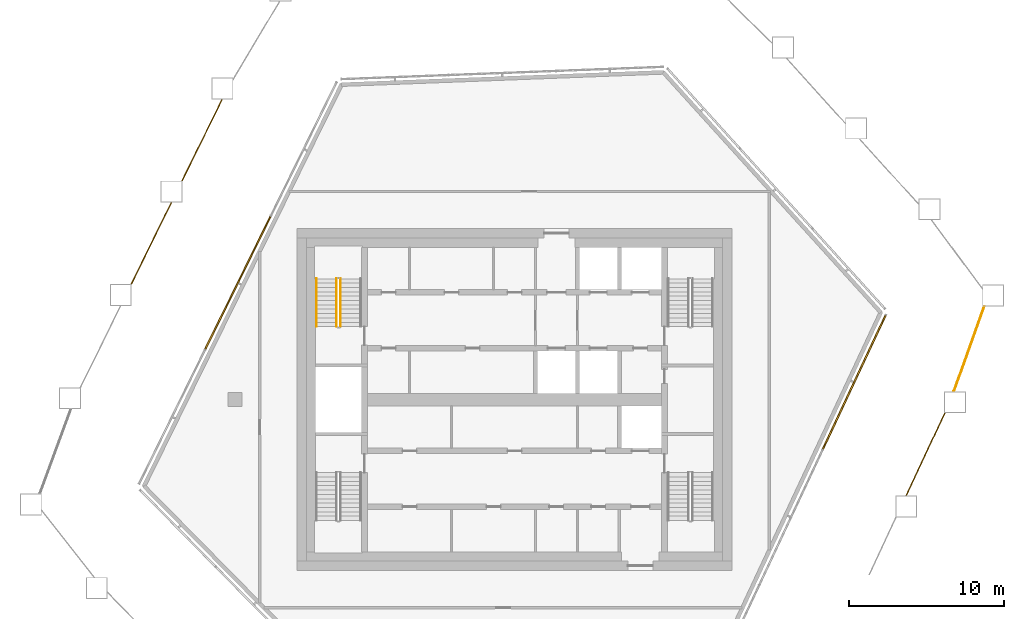
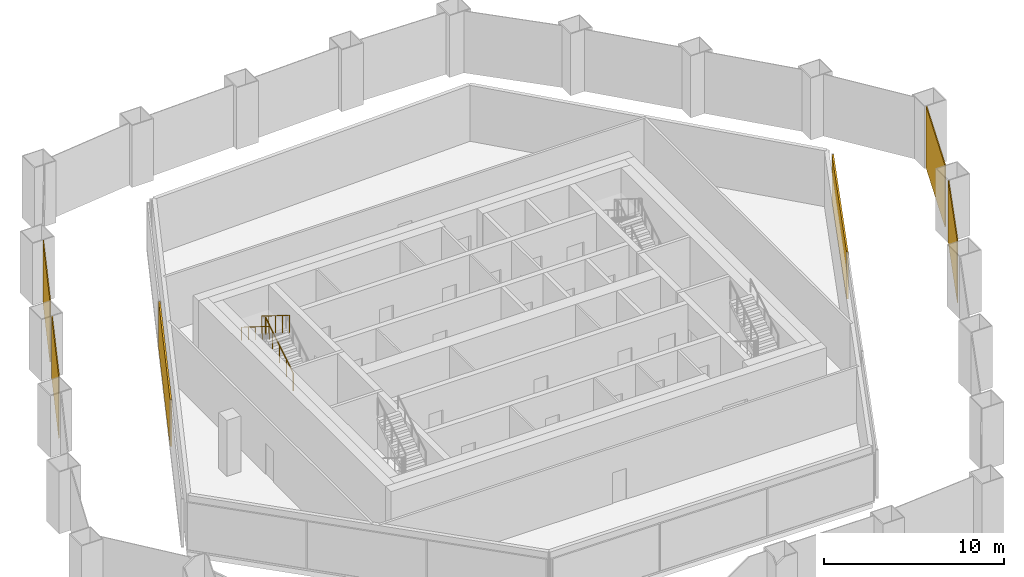
# One storey, part 15 of 18: 6 coverings, 3 railings, 2 elements without a shape of their own.
"""IFC4 building model written with IfcOpenShell, lengths in metres."""

from ifc_helpers import new_model, si_unit, direction, frame, origin, origin_2d, place, context, subcontext, project, spatial, polyline, rectangle, circle, outline, extrude, material, layer, layer_set, type_object, element, aggregate, save


model = new_model("IFC4")

# Units and contexts
model_context = context("Model", 3, precision=1e-05, world=origin(), true_north=direction((0.0, 1.0)))
body_context = subcontext(model_context, "Body", "Model", "MODEL_VIEW")
ifc_project = project(units=[si_unit("LENGTHUNIT", "METRE"), si_unit("AREAUNIT", "SQUARE_METRE"), si_unit("VOLUMEUNIT", "CUBIC_METRE"), si_unit("PLANEANGLEUNIT", "RADIAN"), si_unit("MASSUNIT", "GRAM", prefix="KILO")], contexts=[model_context])

# Site, building, storey
site_placement = place(None, origin())
site = spatial("IfcSite", under=ifc_project, at=site_placement, CompositionType="ELEMENT")
building_placement = place(site_placement, origin())
building = spatial("IfcBuilding", under=site, at=building_placement, Name="Dongbaek Canopy Tower", CompositionType="ELEMENT")
storey_placement = place(building_placement, frame((0.0, 0.0, 363.199951171875)))
storey = spatial("IfcBuildingStorey", under=building, at=storey_placement, Name="L78", CompositionType="ELEMENT", Elevation=363.199951171875)

# Coverings
ifc_material_1 = material(Name="Perforated pale metal")
ifc_layer_1 = layer(ifc_material_1, 0.06005859375)
ifc_layer_set_1 = layer_set([ifc_layer_1], Name="Crown plant screen")
covering_type_1 = type_object("IfcCoveringType", Name="Crown plant screen", PredefinedType="CLADDING", material=ifc_layer_set_1)
covering_1_placement = place(storey_placement, origin())
element("IfcCovering", 1, at=covering_1_placement, inside=storey, type_object=covering_type_1, Name="Crown plant screen 12 L78", PredefinedType="CLADDING", context=body_context, shape_type="SweptSolid", body=[
    extrude(outline(polyline([(25.239501953125, -6.178955078125), (25.17333984375, -6.178955078125), (27.658935546875, -0.8701171875), (27.72509765625, -0.8701171875), (25.239501953125, -6.178955078125)])), origin(), (0.0, 0.0, 1.0), 4.199951171875),
])
covering_2_placement = place(storey_placement, origin())
element("IfcCovering", 2, at=covering_2_placement, inside=storey, type_object=covering_type_1, Name="Crown plant screen 13 L78", PredefinedType="CLADDING", context=body_context, shape_type="SweptSolid", body=[
    extrude(outline(polyline([(28.314453125, 0.530029296875), (28.250732421875, 0.530029296875), (30.20458984375, 5.998046875), (30.268310546875, 5.998046875), (28.314453125, 0.530029296875)])), origin(), (0.0, 0.0, 1.0), 4.199951171875),
])
covering_3_placement = place(storey_placement, origin())
element("IfcCovering", 3, at=covering_3_placement, inside=storey, type_object=covering_type_1, Name="Crown plant screen 23 L78", PredefinedType="CLADDING", context=body_context, shape_type="SweptSolid", body=[
    extrude(outline(polyline([(-18.849365234375, 19.33203125), (-18.78271484375, 19.33203125), (-21.3759765625, 14.0595703125), (-21.3759765625, 14.083984375), (-21.430908203125, 14.083984375), (-18.849365234375, 19.33203125)])), origin(), (0.0, 0.0, 1.0), 4.199951171875),
])
covering_4_placement = place(storey_placement, origin())
element("IfcCovering", 4, at=covering_4_placement, inside=storey, type_object=covering_type_1, Name="Crown plant screen 24 L78", PredefinedType="CLADDING", context=body_context, shape_type="SweptSolid", body=[
    extrude(outline(polyline([(-22.119384765625, 12.68408203125), (-22.052490234375, 12.68408203125), (-24.64697265625, 7.410400390625), (-24.64697265625, 7.43505859375), (-24.70166015625, 7.43505859375), (-22.119384765625, 12.68408203125)])), origin(), (0.0, 0.0, 1.0), 4.199951171875),
])

# Curtain wall, covering
ifc_material_2 = material(Name="Aluminium 6063-T6 pale anodised", Category="aluminium")
ifc_layer_2 = layer(ifc_material_2, 0.14990234375)
ifc_layer_set_2 = layer_set([ifc_layer_2], Name="CW-7 louvre curtain wall")
curtain_wall_type = type_object("IfcCurtainWallType", Name="CW-7 louvre curtain wall", PredefinedType="NOTDEFINED", material=ifc_layer_set_2)
curtain_wall_1_placement = place(storey_placement, origin())
curtain_wall_1 = element("IfcCurtainWall", 5, at=curtain_wall_1_placement, inside=storey, type_object=curtain_wall_type, Name="CW-7 louvre wall L78 F1", PredefinedType="NOTDEFINED")
ifc_material_3 = material(Name="Aluminium 6063-T6 pale metal louvre blades", Category="aluminium")
ifc_layer_3 = layer(ifc_material_3, 0.10009765625)
ifc_layer_set_3 = layer_set([ifc_layer_3], Name="Louvre LV bank 100 x 3200")
covering_type_2 = type_object("IfcCoveringType", Name="Louvre LV bank 100 x 3200", PredefinedType="CLADDING", material=ifc_layer_set_3)
covering_5_placement = place(storey_placement, frame((21.86376953125, 1.118408203125, 0.30029296875), z_axis=(0.0, 0.0, 1.0), x_axis=(0.42412286138, 0.905604659029, 0.0)))
covering_5 = element("IfcCovering", 6, at=covering_5_placement, type_object=covering_type_2, Name="Louvre L78 F1.1.3", PredefinedType="CLADDING", context=body_context, shape_type="SweptSolid", body=[
    extrude(rectangle(XDim=9.510498046875, YDim=0.10009765625, at=origin_2d()), origin(), (0.0, 0.0, 1.0), 3.199951171875),
])
aggregate(curtain_wall_1, [covering_5])

curtain_wall_2_placement = place(storey_placement, origin())
curtain_wall_2 = element("IfcCurtainWall", 7, at=curtain_wall_2_placement, inside=storey, type_object=curtain_wall_type, Name="CW-7 louvre wall L78 F4", PredefinedType="NOTDEFINED")
covering_6_placement = place(storey_placement, frame((-17.808837890625, 7.51025390625, 0.30029296875), z_axis=(0.0, 0.0, 1.0), x_axis=(-0.441341619439, -0.897339163834, 0.0)))
covering_6 = element("IfcCovering", 8, at=covering_6_placement, type_object=covering_type_2, Name="Louvre L78 F4.1.2", PredefinedType="CLADDING", context=body_context, shape_type="SweptSolid", body=[
    extrude(rectangle(XDim=9.51171875, YDim=0.10009765625, at=origin_2d()), origin(), (0.0, 0.0, 1.0), 3.199951171875),
])
aggregate(curtain_wall_2, [covering_6])

# Railings
ifc_material_4 = material(Name="Stainless steel tube and balusters", Category="steel")
railing_type_1 = type_object("IfcRailingType", Name="Stair guard 1200", PredefinedType="GUARDRAIL", material=ifc_material_4)
railing_1_placement = place(storey_placement, frame((-11.199951171875, 4.699951171875, 0.175048828125)))
element("IfcRailing", 9, at=railing_1_placement, inside=storey, type_object=railing_type_1, Name="L78 ST-C stair guard 1", PredefinedType="GUARDRAIL", context=body_context, shape_type="SweptSolid", body=[
    extrude(circle(Radius=0.02392578125, at=origin_2d()), frame((0.0, 0.0, 1.17578125), z_axis=(0.0, 0.847998304005, 0.529998940003), x_axis=(-1.0, 0.0, 0.0)), (0.0, 0.0, 1.0), 3.632080078125),
    extrude(circle(Radius=0.02099609375, at=origin_2d()), origin(), (0.0, 0.0, 1.0), 1.15185546875),
    extrude(circle(Radius=0.02099609375, at=origin_2d()), frame((0.0, 0.77001953125, 0.481201171875)), (0.0, 0.0, 1.0), 1.15185546875),
    extrude(circle(Radius=0.02099609375, at=origin_2d()), frame((0.0, 1.5400390625, 0.96240234375)), (0.0, 0.0, 1.0), 1.15185546875),
    extrude(circle(Radius=0.02099609375, at=origin_2d()), frame((0.0, 2.31005859375, 1.44384765625)), (0.0, 0.0, 1.0), 1.15185546875),
    extrude(circle(Radius=0.02099609375, at=origin_2d()), frame((0.0, 3.080078125, 1.925048828125)), (0.0, 0.0, 1.0), 1.15185546875),
])
railing_2_placement = place(storey_placement, frame((-11.449951171875, 7.780029296875, 2.275146484375)))
element("IfcRailing", 10, at=railing_2_placement, inside=storey, type_object=railing_type_1, Name="L78 ST-C stair guard 3", PredefinedType="GUARDRAIL", context=body_context, shape_type="SweptSolid", body=[
    extrude(circle(Radius=0.02392578125, at=origin_2d()), frame((0.0, 0.0, 1.17578125), z_axis=(0.0, -0.848028513186, 0.529950602248), x_axis=(1.0, 0.0, 0.0)), (0.0, 0.0, 1.0), 3.632080078125),
    extrude(circle(Radius=0.02099609375, at=origin_2d()), origin(), (0.0, 0.0, 1.0), 1.15185546875),
    extrude(circle(Radius=0.02099609375, at=origin_2d()), frame((0.0, -0.77001953125, 0.481201171875)), (0.0, 0.0, 1.0), 1.15185546875),
    extrude(circle(Radius=0.02099609375, at=origin_2d()), frame((0.0, -1.5400390625, 0.96240234375)), (0.0, 0.0, 1.0), 1.15185546875),
    extrude(circle(Radius=0.02099609375, at=origin_2d()), frame((0.0, -2.31005859375, 1.443603515625)), (0.0, 0.0, 1.0), 1.15185546875),
    extrude(circle(Radius=0.02099609375, at=origin_2d()), frame((0.0, -3.080078125, 1.9248046875)), (0.0, 0.0, 1.0), 1.15185546875),
])
ifc_material_5 = material(Name="Stainless steel tube", Category="steel")
railing_type_2 = type_object("IfcRailingType", Name="Stair handrail 900", PredefinedType="HANDRAIL", material=ifc_material_5)
railing_3_placement = place(storey_placement, frame((-12.75, 7.780029296875, 2.275146484375)))
element("IfcRailing", 11, at=railing_3_placement, inside=storey, type_object=railing_type_2, Name="L78 ST-C stair handrail 2", PredefinedType="HANDRAIL", context=body_context, shape_type="SweptSolid", body=[
    extrude(circle(Radius=0.02392578125, at=origin_2d()), frame((0.0, 0.0, 0.8759765625), z_axis=(0.0, -0.848028513186, 0.529950602248), x_axis=(1.0, 0.0, 0.0)), (0.0, 0.0, 1.0), 3.632080078125),
    extrude(circle(Radius=0.02099609375, at=origin_2d()), origin(), (0.0, 0.0, 1.0), 0.851806640625),
    extrude(circle(Radius=0.02099609375, at=origin_2d()), frame((0.0, -0.77001953125, 0.481201171875)), (0.0, 0.0, 1.0), 0.851806640625),
    extrude(circle(Radius=0.02099609375, at=origin_2d()), frame((0.0, -1.5400390625, 0.96240234375)), (0.0, 0.0, 1.0), 0.851806640625),
    extrude(circle(Radius=0.02099609375, at=origin_2d()), frame((0.0, -2.31005859375, 1.443603515625)), (0.0, 0.0, 1.0), 0.851806640625),
    extrude(circle(Radius=0.02099609375, at=origin_2d()), frame((0.0, -3.080078125, 1.9248046875)), (0.0, 0.0, 1.0), 0.851806640625),
])

save(model, "model.ifc")
